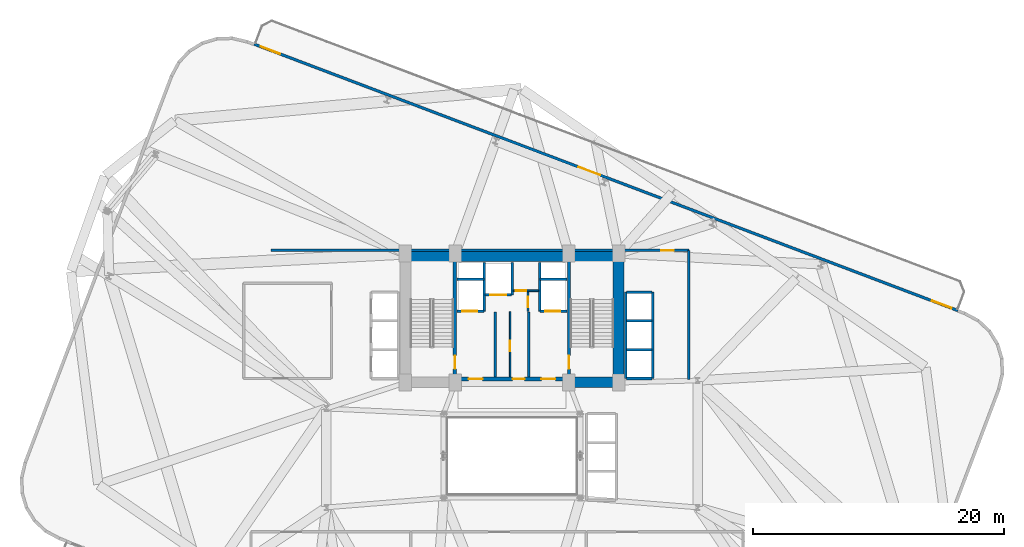
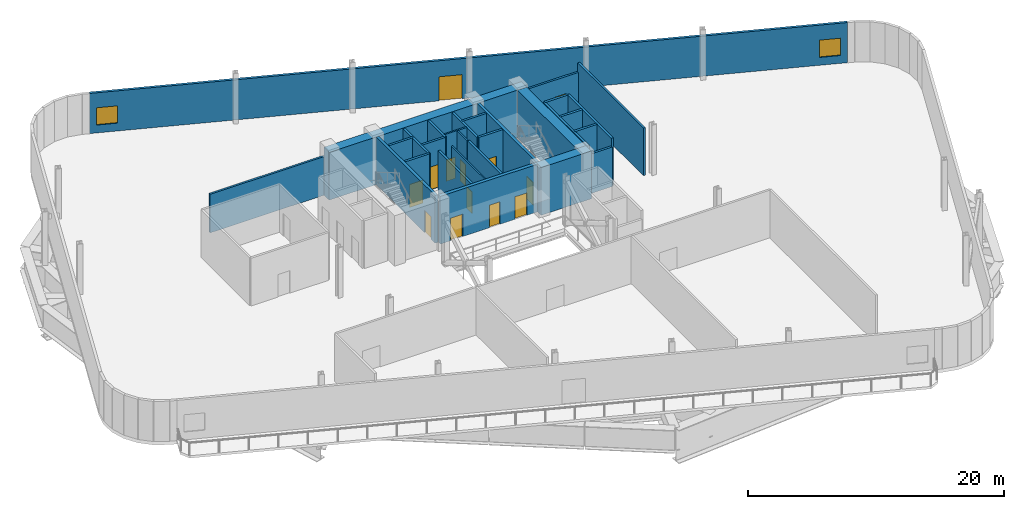
# One storey, part 7 of 11: 28 walls, 13 doors, 2 windows, 15 openings.
"""IFC4 building model written with IfcOpenShell, lengths in metres."""

from ifc_helpers import new_model, si_unit, direction, frame, frame_2d, origin, place, context, subcontext, project, spatial, rectangle, extrude, material, layer, layer_set, type_object, element, fill, save


model = new_model("IFC4")

# Units and contexts
model_context = context("Model", 3, precision=1e-05, world=origin(), true_north=direction((0.0, 1.0)))
body_context = subcontext(model_context, "Body", "Model", "MODEL_VIEW")
ifc_project = project(units=[si_unit("LENGTHUNIT", "METRE"), si_unit("AREAUNIT", "SQUARE_METRE"), si_unit("VOLUMEUNIT", "CUBIC_METRE"), si_unit("PLANEANGLEUNIT", "RADIAN"), si_unit("MASSUNIT", "GRAM", prefix="KILO")], contexts=[model_context])

# Site, building, storey
site_placement = place(None, origin())
site = spatial("IfcSite", under=ifc_project, at=site_placement, CompositionType="ELEMENT")
building_placement = place(site_placement, origin())
building = spatial("IfcBuilding", under=site, at=building_placement, Name="Varnelok Gate Tower", CompositionType="ELEMENT")
storey_placement = place(building_placement, frame((0.0, 0.0, 71.39990234375)))
storey = spatial("IfcBuildingStorey", under=building, at=storey_placement, Name="L17", CompositionType="ELEMENT", Elevation=71.39990234375)

# Wall, openings, door, windows
ifc_material_1 = material(Name="Concrete C45/55", Category="concrete")
ifc_layer_1 = layer(ifc_material_1, 0.219970703125)
ifc_layer_set_1 = layer_set([ifc_layer_1], Name="Concrete C45/55")
wall_type_1 = type_object("IfcWallType", Name="EW-BALC-220", PredefinedType="SOLIDWALL", material=ifc_layer_set_1)
wall_1_placement = place(storey_placement, frame((18.64599609375, 55.7392578125, 0.0), z_axis=(0.0, 0.0, 1.0), x_axis=(0.935222250741, -0.354061211825, 0.0)))
wall_1 = element("IfcWall", 1, at=wall_1_placement, inside=storey, type_object=wall_type_1, Name="L17 North Terrace Envelope Wall 2", PredefinedType="SOLIDWALL", context=body_context, shape_type="SweptSolid", body=[
    extrude(rectangle(XDim=60.0, YDim=0.219970703125, at=frame_2d((30.0, 0.0))), origin(), (0.0, 0.0, 1.0), 3.830078125),
])
opening_1_placement = place(wall_1_placement, frame((27.646728515625, 0.0, 0.0)))
opening_1 = element("IfcOpeningElement", 2, at=opening_1_placement, cuts=wall_1, Name="Opening SGD-1", PredefinedType="OPENING", context=body_context, shape_type="SweptSolid", body=[
    extrude(rectangle(XDim=1.85009765625, YDim=2.300048828125, at=frame_2d((0.925048828125, 1.14990234375))), frame((0.0, 0.119873046875, 0.0), z_axis=(0.0, -1.0, 0.0), x_axis=(1.0, 0.0, 0.0)), (0.0, 0.0, 1.0), 0.239990234375),
])
opening_2_placement = place(wall_1_placement, frame((0.550048828125, 0.0, 0.75)))
opening_2 = element("IfcOpeningElement", 3, at=opening_2_placement, cuts=wall_1, Name="Opening WN3", PredefinedType="OPENING", context=body_context, shape_type="SweptSolid", body=[
    extrude(rectangle(XDim=1.64990234375, YDim=1.64990234375, at=frame_2d((0.824951171875, 0.824951171875))), frame((0.0, 0.119873046875, 0.0), z_axis=(0.0, -1.0, 0.0), x_axis=(1.0, 0.0, 0.0)), (0.0, 0.0, 1.0), 0.239990234375),
])
opening_3_placement = place(wall_1_placement, frame((57.800048828125, 0.0, 0.75)))
opening_3 = element("IfcOpeningElement", 4, at=opening_3_placement, cuts=wall_1, Name="Opening WN3", PredefinedType="OPENING", context=body_context, shape_type="SweptSolid", body=[
    extrude(rectangle(XDim=1.64990234375, YDim=1.64990234375, at=frame_2d((0.824951171875, 0.824951171875))), frame((0.0, 0.119873046875, 0.0), z_axis=(0.0, -1.0, 0.0), x_axis=(1.0, 0.0, 0.0)), (0.0, 0.0, 1.0), 0.239990234375),
])
ifc_material_2 = material(Name="Anodized Aluminum Alloy 6063-T6", Category="aluminium")
door_type_1 = type_object("IfcDoorType", Name="DR-EXT-SKYG1850", OperationType="DOUBLE_DOOR_SINGLE_SWING", PredefinedType="DOOR", material=ifc_material_2)
door_1_placement = place(opening_1_placement, origin())
door_1 = element("IfcDoor", 5, at=door_1_placement, inside=storey, type_object=door_type_1, Name="L17 North Sky Garden Glazed Door 2", OperationType="DOUBLE_DOOR_SINGLE_SWING", OverallHeight=2.300048828125, OverallWidth=1.85009765625, PredefinedType="DOOR", context=body_context, shape_type="SweptSolid", body=[
    extrude(rectangle(XDim=1.85009765625, YDim=2.300048828125, at=frame_2d((0.925048828125, 1.14990234375))), frame((0.0, 0.02490234375, 0.0), z_axis=(0.0, -1.0, 0.0), x_axis=(1.0, 0.0, 0.0)), (0.0, 0.0, 1.0), 0.050048828125),
])
fill(opening_1, door_1)
ifc_material_3 = material(Name="Low-E Laminated Double Glazing IGU", Category="glass")
window_type = type_object("IfcWindowType", Name="WN-HTL-1650", PartitioningType="SINGLE_PANEL", PredefinedType="WINDOW", material=ifc_material_3)
window_1_placement = place(opening_2_placement, origin())
window_1 = element("IfcWindow", 6, at=window_1_placement, inside=storey, type_object=window_type, Name="L17 North Vision Window 2.1", OverallHeight=1.64990234375, OverallWidth=1.64990234375, PartitioningType="SINGLE_PANEL", PredefinedType="WINDOW", context=body_context, shape_type="SweptSolid", body=[
    extrude(rectangle(XDim=1.64990234375, YDim=1.64990234375, at=frame_2d((0.824951171875, 0.824951171875))), frame((0.0, 0.030029296875, 0.0), z_axis=(0.0, -1.0, 0.0), x_axis=(1.0, 0.0, 0.0)), (0.0, 0.0, 1.0), 0.06005859375),
])
fill(opening_2, window_1)
window_2_placement = place(opening_3_placement, origin())
window_2 = element("IfcWindow", 7, at=window_2_placement, inside=storey, type_object=window_type, Name="L17 North Vision Window 2.2", OverallHeight=1.64990234375, OverallWidth=1.64990234375, PartitioningType="SINGLE_PANEL", PredefinedType="WINDOW", context=body_context, shape_type="SweptSolid", body=[
    extrude(rectangle(XDim=1.64990234375, YDim=1.64990234375, at=frame_2d((0.824951171875, 0.824951171875))), frame((0.0, 0.030029296875, 0.0), z_axis=(0.0, -1.0, 0.0), x_axis=(1.0, 0.0, 0.0)), (0.0, 0.0, 1.0), 0.06005859375),
])
fill(opening_3, window_2)

# Wall, opening, door
ifc_material_4 = material(Name="Gypsum Plasterboard Acoustic Partition", Category="gypsum")
ifc_layer_2 = layer(ifc_material_4, 0.179931640625)
ifc_layer_set_2 = layer_set([ifc_layer_2], Name="Gypsum Plasterboard Acoustic Partition")
wall_type_2 = type_object("IfcWallType", Name="PW-CORR-180", PredefinedType="PARTITIONING", material=ifc_layer_set_2)
wall_2_placement = place(storey_placement, frame((20.0, 39.300048828125, 0.0), z_axis=(0.0, 0.0, 1.0), x_axis=(1.0, 0.0, 0.0)))
wall_2 = element("IfcWall", 8, at=wall_2_placement, inside=storey, type_object=wall_type_2, Name="Interior Partition", PredefinedType="PARTITIONING", context=body_context, shape_type="SweptSolid", body=[
    extrude(rectangle(XDim=33.300048828125, YDim=0.179931640625, at=frame_2d((16.64990234375, 0.0))), origin(), (0.0, 0.0, 1.0), 3.68017578125),
])
opening_4_placement = place(wall_2_placement, frame((31.10009765625, 0.0, 0.0)))
opening_4 = element("IfcOpeningElement", 9, at=opening_4_placement, cuts=wall_2, Name="Opening D-I1", PredefinedType="OPENING", context=body_context, shape_type="SweptSolid", body=[
    extrude(rectangle(XDim=1.0, YDim=2.050048828125, at=frame_2d((0.5, 1.02490234375))), frame((0.0, 0.099853515625, 0.0), z_axis=(0.0, -1.0, 0.0), x_axis=(1.0, 0.0, 0.0)), (0.0, 0.0, 1.0), 0.199951171875),
])
ifc_material_5 = material(Name="Engineered Hardwood Timber", Category="wood")
door_type_2 = type_object("IfcDoorType", Name="DR-INT-1000", OperationType="NOTDEFINED", PredefinedType="DOOR", material=ifc_material_5)
door_2_placement = place(opening_4_placement, origin())
door_2 = element("IfcDoor", 10, at=door_2_placement, inside=storey, type_object=door_type_2, Name="L17 Sky Garden Lounge Door", OperationType="SINGLE_SWING_LEFT", OverallHeight=2.050048828125, OverallWidth=1.0, PredefinedType="DOOR", context=body_context, shape_type="SweptSolid", body=[
    extrude(rectangle(XDim=1.0, YDim=2.050048828125, at=frame_2d((0.5, 1.02490234375))), frame((0.0, 0.02490234375, 0.0), z_axis=(0.0, -1.0, 0.0), x_axis=(1.0, 0.0, 0.0)), (0.0, 0.0, 1.0), 0.050048828125),
])
fill(opening_4, door_2)

# Wall
wall_3_placement = place(storey_placement, frame((53.300048828125, 29.02001953125, 0.0), z_axis=(0.0, 0.0, 1.0), x_axis=(0.0, 1.0, 0.0)))
element("IfcWall", 11, at=wall_3_placement, inside=storey, type_object=wall_type_2, Name="Interior Partition", PredefinedType="PARTITIONING", context=body_context, shape_type="SweptSolid", body=[
    extrude(rectangle(XDim=10.280029296875, YDim=0.179931640625, at=frame_2d((5.14013671875, 0.0))), origin(), (0.0, 0.0, 1.0), 4.550048828125),
])

# Wall, opening, door
ifc_layer_3 = layer(ifc_material_4, 0.125)
ifc_layer_set_3 = layer_set([ifc_layer_3], Name="Gypsum Plasterboard Acoustic Partition")
wall_type_3 = type_object("IfcWallType", Name="PW-PART-125", PredefinedType="PARTITIONING", material=ifc_layer_set_3)
wall_4_placement = place(storey_placement, frame((39.050048828125, 29.199951171875, 0.0), z_axis=(0.0, 0.0, 1.0), x_axis=(0.0, 1.0, 0.0)))
wall_4 = element("IfcWall", 12, at=wall_4_placement, inside=storey, type_object=wall_type_3, Name="Interior Partition", PredefinedType="PARTITIONING", context=body_context, shape_type="SweptSolid", body=[
    extrude(rectangle(XDim=5.219970703125, YDim=0.125, at=frame_2d((2.60986328125, 0.0))), origin(), (0.0, 0.0, 1.0), 4.550048828125),
])
opening_5_placement = place(wall_4_placement, frame((2.050048828125, 0.0, 0.0)))
opening_5 = element("IfcOpeningElement", 13, at=opening_5_placement, cuts=wall_4, Name="Opening D-RS", PredefinedType="OPENING", context=body_context, shape_type="SweptSolid", body=[
    extrude(rectangle(XDim=0.85009765625, YDim=2.050048828125, at=frame_2d((0.425048828125, 1.02490234375))), frame((0.0, 0.072509765625, 0.0), z_axis=(0.0, -1.0, 0.0), x_axis=(1.0, 0.0, 0.0)), (0.0, 0.0, 1.0), 0.14501953125),
])
ifc_material_6 = material(Name="Galvanized Steel Grade S350GD", Category="steel")
door_type_3 = type_object("IfcDoorType", Name="DR-RISER-850", OperationType="NOTDEFINED", PredefinedType="DOOR", material=ifc_material_6)
door_3_placement = place(opening_5_placement, origin())
door_3 = element("IfcDoor", 14, at=door_3_placement, inside=storey, type_object=door_type_3, Name="L17 Housekeeping Linen Door", OperationType="SINGLE_SWING_LEFT", OverallHeight=2.050048828125, OverallWidth=0.85009765625, PredefinedType="DOOR", context=body_context, shape_type="SweptSolid", body=[
    extrude(rectangle(XDim=0.85009765625, YDim=2.050048828125, at=frame_2d((0.425048828125, 1.02490234375))), frame((0.0, 0.02490234375, 0.0), z_axis=(0.0, -1.0, 0.0), x_axis=(1.0, 0.0, 0.0)), (0.0, 0.0, 1.0), 0.050048828125),
])
fill(opening_5, door_3)

ifc_layer_4 = layer(ifc_material_4, 0.14990234375)
ifc_layer_set_4 = layer_set([ifc_layer_4], Name="Gypsum Plasterboard Acoustic Partition")
wall_type_4 = type_object("IfcWallType", Name="PW-PART-150", PredefinedType="PARTITIONING", material=ifc_layer_set_4)
wall_5_placement = place(storey_placement, frame((39.300048828125, 36.080078125, 0.0), z_axis=(0.0, 0.0, 1.0), x_axis=(1.0, 0.0, 0.0)))
wall_5 = element("IfcWall", 15, at=wall_5_placement, inside=storey, type_object=wall_type_4, Name="L17 Electrical Closet South Wall", PredefinedType="PARTITIONING", context=body_context, shape_type="SweptSolid", body=[
    extrude(rectangle(XDim=2.02001953125, YDim=0.14990234375, at=frame_2d((1.010009765625, 0.0))), origin(), (0.0, 0.0, 1.0), 4.550048828125),
])
opening_6_placement = place(wall_5_placement, frame((0.179931640625, 0.0, 0.0)))
opening_6 = element("IfcOpeningElement", 16, at=opening_6_placement, cuts=wall_5, Name="Opening D-RS", PredefinedType="OPENING", context=body_context, shape_type="SweptSolid", body=[
    extrude(rectangle(XDim=0.85009765625, YDim=2.050048828125, at=frame_2d((0.425048828125, 1.02490234375))), frame((0.0, 0.0849609375, 0.0), z_axis=(0.0, -1.0, 0.0), x_axis=(1.0, 0.0, 0.0)), (0.0, 0.0, 1.0), 0.169921875),
])
door_4_placement = place(opening_6_placement, origin())
door_4 = element("IfcDoor", 17, at=door_4_placement, inside=storey, type_object=door_type_3, Name="L17 Electrical Closet Door", OperationType="SINGLE_SWING_RIGHT", OverallHeight=2.050048828125, OverallWidth=0.85009765625, PredefinedType="DOOR", context=body_context, shape_type="SweptSolid", body=[
    extrude(rectangle(XDim=0.85009765625, YDim=2.050048828125, at=frame_2d((0.425048828125, 1.02490234375))), frame((0.0, 0.02490234375, 0.0), z_axis=(0.0, -1.0, 0.0), x_axis=(1.0, 0.0, 0.0)), (0.0, 0.0, 1.0), 0.050048828125),
])
fill(opening_6, door_4)

wall_6_placement = place(storey_placement, frame((40.47998046875, 34.43994140625, 0.0), z_axis=(0.0, 0.0, 1.0), x_axis=(0.0, 1.0, 0.0)))
wall_6 = element("IfcWall", 18, at=wall_6_placement, inside=storey, type_object=wall_type_4, Name="L17 Telecoms Closet West Wall", PredefinedType="PARTITIONING", context=body_context, shape_type="SweptSolid", body=[
    extrude(rectangle(XDim=1.52001953125, YDim=0.14990234375, at=frame_2d((0.760009765625, 0.0))), origin(), (0.0, 0.0, 1.0), 4.550048828125),
])
opening_7_placement = place(wall_6_placement, frame((0.320068359375, 0.0, 0.0)))
opening_7 = element("IfcOpeningElement", 19, at=opening_7_placement, cuts=wall_6, Name="Opening D-RS", PredefinedType="OPENING", context=body_context, shape_type="SweptSolid", body=[
    extrude(rectangle(XDim=0.85009765625, YDim=2.050048828125, at=frame_2d((0.425048828125, 1.02490234375))), frame((0.0, 0.0849609375, 0.0), z_axis=(0.0, -1.0, 0.0), x_axis=(1.0, 0.0, 0.0)), (0.0, 0.0, 1.0), 0.169921875),
])
door_5_placement = place(opening_7_placement, origin())
door_5 = element("IfcDoor", 20, at=door_5_placement, inside=storey, type_object=door_type_3, Name="L17 Telecoms Closet Door", OperationType="SINGLE_SWING_LEFT", OverallHeight=2.050048828125, OverallWidth=0.85009765625, PredefinedType="DOOR", context=body_context, shape_type="SweptSolid", body=[
    extrude(rectangle(XDim=0.85009765625, YDim=2.050048828125, at=frame_2d((0.425048828125, 1.02490234375))), frame((0.0, 0.02490234375, 0.0), z_axis=(0.0, -1.0, 0.0), x_axis=(1.0, 0.0, 0.0)), (0.0, 0.0, 1.0), 0.050048828125),
])
fill(opening_7, door_5)

# Walls
ifc_material_7 = material(Name="Concrete C35/45", Category="concrete")
ifc_layer_5 = layer(ifc_material_7, 0.199951171875)
ifc_layer_set_5 = layer_set([ifc_layer_5], Name="Concrete C35/45")
wall_type_5 = type_object("IfcWallType", Name="PW-SHAFT-200", PredefinedType="PARTITIONING", material=ifc_layer_set_5)
for number, where, z_axis, x_axis, name in (
    (21, (37.860107421875, 29.199951171875, 0.0), (0.0, 0.0, 1.0), (0.0, 1.0, 0.0), "L17 West FF Lobby Rated Wall"),
    (22, (40.5400390625, 29.199951171875, 0.0), (0.0, 0.0, 1.0), (0.0, 1.0, 0.0), "L17 East FF Lobby Rated Wall"),
):
    element("IfcWall", number, at=place(storey_placement, frame(where, z_axis=z_axis, x_axis=x_axis)), inside=storey, type_object=wall_type_5, Name=name, PredefinedType="PARTITIONING", context=body_context, shape_type="SweptSolid", body=[
        extrude(rectangle(XDim=5.179931640625, YDim=0.199951171875, at=frame_2d((2.58984375, 0.0))), origin(), (0.0, 0.0, 1.0), 4.550048828125),
    ])

# Wall, opening, door
wall_7_placement = place(storey_placement, frame((34.800048828125, 34.43994140625, 0.0), z_axis=(0.0, 0.0, 1.0), x_axis=(1.0, 0.0, 0.0)))
wall_7 = element("IfcWall", 23, at=wall_7_placement, inside=storey, type_object=wall_type_5, Name="L17 FF1 Shaft Front Wall", PredefinedType="PARTITIONING", context=body_context, shape_type="SweptSolid", body=[
    extrude(rectangle(XDim=2.179931640625, YDim=0.199951171875, at=frame_2d((1.08984375, 0.0))), origin(), (0.0, 0.0, 1.0), 4.550048828125),
])
opening_8_placement = place(wall_7_placement, frame((0.419921875, 0.0, 0.0)))
opening_8 = element("IfcOpeningElement", 24, at=opening_8_placement, cuts=wall_7, Name="Opening LD-FF1", PredefinedType="OPENING", context=body_context, shape_type="SweptSolid", body=[
    extrude(rectangle(XDim=1.199951171875, YDim=2.199951171875, at=frame_2d((0.60009765625, 1.10009765625))), frame((0.0, 0.10986328125, 0.0), z_axis=(0.0, -1.0, 0.0), x_axis=(1.0, 0.0, 0.0)), (0.0, 0.0, 1.0), 0.219970703125),
])
door_type_4 = type_object("IfcDoorType", Name="DR-LIFT-FF1200", OperationType="SLIDING_TO_LEFT", PredefinedType="DOOR", material=ifc_material_6)
door_6_placement = place(opening_8_placement, origin())
door_6 = element("IfcDoor", 25, at=door_6_placement, inside=storey, type_object=door_type_4, Name="L17 Firefighting Lift Landing Door LD-FF1", OperationType="SLIDING_TO_LEFT", OverallHeight=2.199951171875, OverallWidth=1.199951171875, PredefinedType="DOOR", context=body_context, shape_type="SweptSolid", body=[
    extrude(rectangle(XDim=1.199951171875, YDim=2.199951171875, at=frame_2d((0.60009765625, 1.10009765625))), frame((0.0, 0.02490234375, 0.0), z_axis=(0.0, -1.0, 0.0), x_axis=(1.0, 0.0, 0.0)), (0.0, 0.0, 1.0), 0.050048828125),
])
fill(opening_8, door_6)

# Walls
wall_8_placement = place(storey_placement, frame((34.800048828125, 36.97998046875, 0.0), z_axis=(0.0, 0.0, 1.0), x_axis=(1.0, 0.0, 0.0)))
element("IfcWall", 26, at=wall_8_placement, inside=storey, type_object=wall_type_5, Name="L17 FF1 Shaft North Wall", PredefinedType="PARTITIONING", context=body_context, shape_type="SweptSolid", body=[
    extrude(rectangle(XDim=2.179931640625, YDim=0.199951171875, at=frame_2d((1.08984375, 0.0))), origin(), (0.0, 0.0, 1.0), 4.550048828125),
])
wall_9_placement = place(storey_placement, frame((37.0, 34.43994140625, 0.0), z_axis=(0.0, 0.0, 1.0), x_axis=(0.0, 1.0, 0.0)))
element("IfcWall", 27, at=wall_9_placement, inside=storey, type_object=wall_type_5, Name="L17 FF1 Shaft Side Wall", PredefinedType="PARTITIONING", context=body_context, shape_type="SweptSolid", body=[
    extrude(rectangle(XDim=3.900146484375, YDim=0.199951171875, at=frame_2d((1.9501953125, 0.0))), origin(), (0.0, 0.0, 1.0), 4.550048828125),
])

# Wall, opening, door
wall_10_placement = place(storey_placement, frame((41.419921875, 34.43994140625, 0.0), z_axis=(0.0, 0.0, 1.0), x_axis=(1.0, 0.0, 0.0)))
wall_10 = element("IfcWall", 28, at=wall_10_placement, inside=storey, type_object=wall_type_5, Name="L17 FF2 Shaft Front Wall", PredefinedType="PARTITIONING", context=body_context, shape_type="SweptSolid", body=[
    extrude(rectangle(XDim=2.18017578125, YDim=0.199951171875, at=frame_2d((1.090087890625, 0.0))), origin(), (0.0, 0.0, 1.0), 4.550048828125),
])
opening_9_placement = place(wall_10_placement, frame((0.419921875, 0.0, 0.0)))
opening_9 = element("IfcOpeningElement", 29, at=opening_9_placement, cuts=wall_10, Name="Opening LD-FF2", PredefinedType="OPENING", context=body_context, shape_type="SweptSolid", body=[
    extrude(rectangle(XDim=1.199951171875, YDim=2.199951171875, at=frame_2d((0.60009765625, 1.10009765625))), frame((0.0, 0.10986328125, 0.0), z_axis=(0.0, -1.0, 0.0), x_axis=(1.0, 0.0, 0.0)), (0.0, 0.0, 1.0), 0.219970703125),
])
door_7_placement = place(opening_9_placement, origin())
door_7 = element("IfcDoor", 30, at=door_7_placement, inside=storey, type_object=door_type_4, Name="L17 Firefighting Lift Landing Door LD-FF2", OperationType="SLIDING_TO_LEFT", OverallHeight=2.199951171875, OverallWidth=1.199951171875, PredefinedType="DOOR", context=body_context, shape_type="SweptSolid", body=[
    extrude(rectangle(XDim=1.199951171875, YDim=2.199951171875, at=frame_2d((0.60009765625, 1.10009765625))), frame((0.0, 0.02490234375, 0.0), z_axis=(0.0, -1.0, 0.0), x_axis=(1.0, 0.0, 0.0)), (0.0, 0.0, 1.0), 0.050048828125),
])
fill(opening_9, door_7)

# Walls
wall_11_placement = place(storey_placement, frame((41.419921875, 36.97998046875, 0.0), z_axis=(0.0, 0.0, 1.0), x_axis=(1.0, 0.0, 0.0)))
element("IfcWall", 31, at=wall_11_placement, inside=storey, type_object=wall_type_5, Name="L17 FF2 Shaft North Wall", PredefinedType="PARTITIONING", context=body_context, shape_type="SweptSolid", body=[
    extrude(rectangle(XDim=2.18017578125, YDim=0.199951171875, at=frame_2d((1.090087890625, 0.0))), origin(), (0.0, 0.0, 1.0), 4.550048828125),
])
wall_12_placement = place(storey_placement, frame((41.39990234375, 34.43994140625, 0.0), z_axis=(0.0, 0.0, 1.0), x_axis=(0.0, 1.0, 0.0)))
element("IfcWall", 32, at=wall_12_placement, inside=storey, type_object=wall_type_5, Name="L17 FF2 Shaft Side Wall", PredefinedType="PARTITIONING", context=body_context, shape_type="SweptSolid", body=[
    extrude(rectangle(XDim=3.900146484375, YDim=0.199951171875, at=frame_2d((1.9501953125, 0.0))), origin(), (0.0, 0.0, 1.0), 4.550048828125),
])

# Wall, opening, door
wall_13_placement = place(storey_placement, frame((37.06005859375, 35.75, 0.0), z_axis=(0.0, 0.0, 1.0), x_axis=(1.0, 0.0, 0.0)))
wall_13 = element("IfcWall", 33, at=wall_13_placement, inside=storey, type_object=wall_type_5, Name="L17 SV1 Shaft Front Wall", PredefinedType="PARTITIONING", context=body_context, shape_type="SweptSolid", body=[
    extrude(rectangle(XDim=2.119873046875, YDim=0.199951171875, at=frame_2d((1.06005859375, 0.0))), origin(), (0.0, 0.0, 1.0), 4.550048828125),
])
opening_10_placement = place(wall_13_placement, frame((0.39990234375, 0.0, 0.0)))
opening_10 = element("IfcOpeningElement", 34, at=opening_10_placement, cuts=wall_13, Name="Opening LD-SV1", PredefinedType="OPENING", context=body_context, shape_type="SweptSolid", body=[
    extrude(rectangle(XDim=1.300048828125, YDim=2.199951171875, at=frame_2d((0.64990234375, 1.10009765625))), frame((0.0, 0.10986328125, 0.0), z_axis=(0.0, -1.0, 0.0), x_axis=(1.0, 0.0, 0.0)), (0.0, 0.0, 1.0), 0.219970703125),
])
door_type_5 = type_object("IfcDoorType", Name="DR-LIFT-SV1300", OperationType="SLIDING_TO_LEFT", PredefinedType="DOOR", material=ifc_material_6)
door_8_placement = place(opening_10_placement, origin())
door_8 = element("IfcDoor", 35, at=door_8_placement, inside=storey, type_object=door_type_5, Name="L17 Service Lift Landing Door LD-SV1", OperationType="SLIDING_TO_LEFT", OverallHeight=2.199951171875, OverallWidth=1.300048828125, PredefinedType="DOOR", context=body_context, shape_type="SweptSolid", body=[
    extrude(rectangle(XDim=1.300048828125, YDim=2.199951171875, at=frame_2d((0.64990234375, 1.10009765625))), frame((0.0, 0.02490234375, 0.0), z_axis=(0.0, -1.0, 0.0), x_axis=(1.0, 0.0, 0.0)), (0.0, 0.0, 1.0), 0.050048828125),
])
fill(opening_10, door_8)

# Walls
wall_14_placement = place(storey_placement, frame((39.219970703125, 35.75, 0.0), z_axis=(0.0, 0.0, 1.0), x_axis=(0.0, 1.0, 0.0)))
element("IfcWall", 36, at=wall_14_placement, inside=storey, type_object=wall_type_5, Name="L17 SV1 Shaft East Wall", PredefinedType="PARTITIONING", context=body_context, shape_type="SweptSolid", body=[
    extrude(rectangle(XDim=2.590087890625, YDim=0.199951171875, at=frame_2d((1.294921875, 0.0))), origin(), (0.0, 0.0, 1.0), 4.550048828125),
])
for number, where, z_axis, x_axis, name in (
    (37, (48.320068359375, 31.375, 0.0), (0.0, 0.0, 1.0), (1.0, 0.0, 0.0), "L17 PM1 Divider"),
    (38, (48.320068359375, 33.675048828125, 0.0), (0.0, 0.0, 1.0), (1.0, 0.0, 0.0), "L17 PM2 Divider"),
):
    element("IfcWall", number, at=place(storey_placement, frame(where, z_axis=z_axis, x_axis=x_axis)), inside=storey, type_object=wall_type_5, Name=name, PredefinedType="PARTITIONING", context=body_context, shape_type="SweptSolid", body=[
        extrude(rectangle(XDim=2.059814453125, YDim=0.199951171875, at=frame_2d((1.02978515625, 0.0))), origin(), (0.0, 0.0, 1.0), 4.550048828125),
    ])
wall_15_placement = place(storey_placement, frame((48.320068359375, 29.080078125, 0.0), z_axis=(0.0, 0.0, 1.0), x_axis=(1.0, 0.0, 0.0)))
element("IfcWall", 39, at=wall_15_placement, inside=storey, type_object=wall_type_5, Name="L17 PM Bank South Wall", PredefinedType="PARTITIONING", context=body_context, shape_type="SweptSolid", body=[
    extrude(rectangle(XDim=2.059814453125, YDim=0.199951171875, at=frame_2d((1.02978515625, 0.0))), origin(), (0.0, 0.0, 1.0), 3.76220703125),
])
wall_16_placement = place(storey_placement, frame((48.320068359375, 35.969970703125, 0.0), z_axis=(0.0, 0.0, 1.0), x_axis=(1.0, 0.0, 0.0)))
element("IfcWall", 40, at=wall_16_placement, inside=storey, type_object=wall_type_5, Name="L17 PM Bank North Wall", PredefinedType="PARTITIONING", context=body_context, shape_type="SweptSolid", body=[
    extrude(rectangle(XDim=2.059814453125, YDim=0.199951171875, at=frame_2d((1.02978515625, 0.0))), origin(), (0.0, 0.0, 1.0), 4.550048828125),
])
for number, where, z_axis, x_axis, name in (
    (41, (48.280029296875, 29.080078125, 0.0), (0.0, 0.0, 1.0), (0.0, 1.0, 0.0), "L17 PM Bank Back Wall"),
    (42, (50.43994140625, 29.080078125, 0.0), (0.0, 0.0, 1.0), (0.0, 1.0, 0.0), "L17 PM Bank Front Wall"),
):
    element("IfcWall", number, at=place(storey_placement, frame(where, z_axis=z_axis, x_axis=x_axis)), inside=storey, type_object=wall_type_5, Name=name, PredefinedType="PARTITIONING", context=body_context, shape_type="SweptSolid", body=[
        extrude(rectangle(XDim=6.889892578125, YDim=0.199951171875, at=frame_2d((3.44482421875, 0.0))), origin(), (0.0, 0.0, 1.0), 4.550048828125),
    ])
ifc_material_8 = material(Name="Concrete C70/85", Category="concrete")
ifc_layer_6 = layer(ifc_material_8, 0.85009765625)
ifc_layer_set_6 = layer_set([ifc_layer_6], Name="Concrete C70/85")
wall_type_6 = type_object("IfcWallType", Name="SW-CORE-850", PredefinedType="SHEAR", material=ifc_layer_set_6)
wall_17_placement = place(storey_placement, frame((30.280029296875, 38.844970703125, 0.0), z_axis=(0.0, 0.0, 1.0), x_axis=(1.0, 0.0, 0.0)))
element("IfcWall", 43, at=wall_17_placement, inside=storey, type_object=wall_type_6, Name="L17 Rear Core North Shear Wall", PredefinedType="SHEAR", context=body_context, shape_type="SweptSolid", body=[
    extrude(rectangle(XDim=17.840087890625, YDim=0.85009765625, at=frame_2d((8.919921875, 0.0))), origin(), (0.0, 0.0, 1.0), 4.550048828125),
])
wall_18_placement = place(storey_placement, frame((47.695068359375, 29.199951171875, 0.0), z_axis=(0.0, 0.0, 1.0), x_axis=(0.0, 1.0, 0.0)))
element("IfcWall", 44, at=wall_18_placement, inside=storey, type_object=wall_type_6, Name="L17 Rear Core East Shear Wall", PredefinedType="SHEAR", context=body_context, shape_type="SweptSolid", body=[
    extrude(rectangle(XDim=9.219970703125, YDim=0.85009765625, at=frame_2d((4.60986328125, 0.0))), origin(), (0.0, 0.0, 1.0), 4.550048828125),
])
wall_19_placement = place(storey_placement, frame((43.60009765625, 28.77490234375, 0.0), z_axis=(0.0, 0.0, 1.0), x_axis=(1.0, 0.0, 0.0)))
element("IfcWall", 45, at=wall_19_placement, inside=storey, type_object=wall_type_6, Name="L17 Rear Core South-East Shear Wall", PredefinedType="SHEAR", context=body_context, shape_type="SweptSolid", body=[
    extrude(rectangle(XDim=4.52001953125, YDim=0.85009765625, at=frame_2d((2.260009765625, 0.0))), origin(), (0.0, 0.0, 1.0), 4.550048828125),
])

# Wall, opening, door
ifc_material_9 = material(Name="Concrete C60/75", Category="concrete")
ifc_layer_7 = layer(ifc_material_9, 0.25)
ifc_layer_set_7 = layer_set([ifc_layer_7], Name="Concrete C60/75")
wall_type_7 = type_object("IfcWallType", Name="SW-SHAFT-250", PredefinedType="SHEAR", material=ifc_layer_set_7)
wall_20_placement = place(storey_placement, frame((34.639892578125, 29.199951171875, 0.0), z_axis=(0.0, 0.0, 1.0), x_axis=(0.0, 1.0, 0.0)))
wall_20 = element("IfcWall", 46, at=wall_20_placement, inside=storey, type_object=wall_type_7, Name="L17 Stair ST-1 East Shear Wall", PredefinedType="SHEAR", context=body_context, shape_type="SweptSolid", body=[
    extrude(rectangle(XDim=9.219970703125, YDim=0.25, at=frame_2d((4.60986328125, 0.0))), origin(), (0.0, 0.0, 1.0), 4.550048828125),
])
opening_11_placement = place(wall_20_placement, frame((0.64990234375, 0.0, 0.0)))
opening_11 = element("IfcOpeningElement", 47, at=opening_11_placement, cuts=wall_20, Name="Opening D-ST", PredefinedType="OPENING", context=body_context, shape_type="SweptSolid", body=[
    extrude(rectangle(XDim=1.050048828125, YDim=2.14990234375, at=frame_2d((0.52490234375, 1.074951171875))), frame((0.0, 0.135009765625, 0.0), z_axis=(0.0, -1.0, 0.0), x_axis=(1.0, 0.0, 0.0)), (0.0, 0.0, 1.0), 0.27001953125),
])
door_type_6 = type_object("IfcDoorType", Name="DR-STAIR-1050", OperationType="NOTDEFINED", PredefinedType="DOOR", material=ifc_material_6)
door_9_placement = place(opening_11_placement, origin())
door_9 = element("IfcDoor", 48, at=door_9_placement, inside=storey, type_object=door_type_6, Name="L17 Exit Stair ST-1 Fire Door", OperationType="SINGLE_SWING_LEFT", OverallHeight=2.14990234375, OverallWidth=1.050048828125, PredefinedType="DOOR", context=body_context, shape_type="SweptSolid", body=[
    extrude(rectangle(XDim=1.050048828125, YDim=2.14990234375, at=frame_2d((0.52490234375, 1.074951171875))), frame((0.0, 0.02490234375, 0.0), z_axis=(0.0, -1.0, 0.0), x_axis=(1.0, 0.0, 0.0)), (0.0, 0.0, 1.0), 0.050048828125),
])
fill(opening_11, door_9)

wall_21_placement = place(storey_placement, frame((43.760009765625, 29.199951171875, 0.0), z_axis=(0.0, 0.0, 1.0), x_axis=(0.0, 1.0, 0.0)))
wall_21 = element("IfcWall", 49, at=wall_21_placement, inside=storey, type_object=wall_type_7, Name="L17 Stair ST-2 West Shear Wall", PredefinedType="SHEAR", context=body_context, shape_type="SweptSolid", body=[
    extrude(rectangle(XDim=9.219970703125, YDim=0.25, at=frame_2d((4.60986328125, 0.0))), origin(), (0.0, 0.0, 1.0), 4.550048828125),
])
opening_12_placement = place(wall_21_placement, frame((0.64990234375, 0.0, 0.0)))
opening_12 = element("IfcOpeningElement", 50, at=opening_12_placement, cuts=wall_21, Name="Opening D-ST", PredefinedType="OPENING", context=body_context, shape_type="SweptSolid", body=[
    extrude(rectangle(XDim=1.050048828125, YDim=2.14990234375, at=frame_2d((0.52490234375, 1.074951171875))), frame((0.0, 0.135009765625, 0.0), z_axis=(0.0, -1.0, 0.0), x_axis=(1.0, 0.0, 0.0)), (0.0, 0.0, 1.0), 0.27001953125),
])
door_10_placement = place(opening_12_placement, origin())
door_10 = element("IfcDoor", 51, at=door_10_placement, inside=storey, type_object=door_type_6, Name="L17 Exit Stair ST-2 Fire Door", OperationType="SINGLE_SWING_RIGHT", OverallHeight=2.14990234375, OverallWidth=1.050048828125, PredefinedType="DOOR", context=body_context, shape_type="SweptSolid", body=[
    extrude(rectangle(XDim=1.050048828125, YDim=2.14990234375, at=frame_2d((0.52490234375, 1.074951171875))), frame((0.0, 0.02490234375, 0.0), z_axis=(0.0, -1.0, 0.0), x_axis=(1.0, 0.0, 0.0)), (0.0, 0.0, 1.0), 0.050048828125),
])
fill(opening_12, door_10)

# Wall, openings, doors
ifc_layer_8 = layer(ifc_material_9, 0.300048828125)
ifc_layer_set_8 = layer_set([ifc_layer_8], Name="Concrete C60/75")
wall_type_8 = type_object("IfcWallType", Name="SW-SHAFT-300", PredefinedType="SHEAR", material=ifc_layer_set_8)
wall_22_placement = place(storey_placement, frame((34.800048828125, 29.050048828125, 0.0), z_axis=(0.0, 0.0, 1.0), x_axis=(1.0, 0.0, 0.0)))
wall_22 = element("IfcWall", 52, at=wall_22_placement, inside=storey, type_object=wall_type_8, Name="L17 Rear Core Central Lobby Shear Wall", PredefinedType="SHEAR", context=body_context, shape_type="SweptSolid", body=[
    extrude(rectangle(XDim=8.800048828125, YDim=0.300048828125, at=frame_2d((4.39990234375, 0.0))), origin(), (0.0, 0.0, 1.0), 4.550048828125),
])
opening_13_placement = place(wall_22_placement, frame((0.949951171875, 0.0, 0.0)))
opening_13 = element("IfcOpeningElement", 53, at=opening_13_placement, cuts=wall_22, Name="Opening D-FF", PredefinedType="OPENING", context=body_context, shape_type="SweptSolid", body=[
    extrude(rectangle(XDim=1.10009765625, YDim=2.14990234375, at=frame_2d((0.550048828125, 1.074951171875))), frame((0.0, 0.159912109375, 0.0), z_axis=(0.0, -1.0, 0.0), x_axis=(1.0, 0.0, 0.0)), (0.0, 0.0, 1.0), 0.320068359375),
])
opening_14_placement = place(wall_22_placement, frame((6.75, 0.0, 0.0)))
opening_14 = element("IfcOpeningElement", 54, at=opening_14_placement, cuts=wall_22, Name="Opening D-FF", PredefinedType="OPENING", context=body_context, shape_type="SweptSolid", body=[
    extrude(rectangle(XDim=1.10009765625, YDim=2.14990234375, at=frame_2d((0.550048828125, 1.074951171875))), frame((0.0, 0.159912109375, 0.0), z_axis=(0.0, -1.0, 0.0), x_axis=(1.0, 0.0, 0.0)), (0.0, 0.0, 1.0), 0.320068359375),
])
opening_15_placement = place(wall_22_placement, frame((4.449951171875, 0.0, 0.0)))
opening_15 = element("IfcOpeningElement", 55, at=opening_15_placement, cuts=wall_22, Name="Opening D-CR", PredefinedType="OPENING", context=body_context, shape_type="SweptSolid", body=[
    extrude(rectangle(XDim=0.949951171875, YDim=2.14990234375, at=frame_2d((0.47509765625, 1.074951171875))), frame((0.0, 0.159912109375, 0.0), z_axis=(0.0, -1.0, 0.0), x_axis=(1.0, 0.0, 0.0)), (0.0, 0.0, 1.0), 0.320068359375),
])
door_type_7 = type_object("IfcDoorType", Name="DR-CORR-950", OperationType="NOTDEFINED", PredefinedType="DOOR", material=ifc_material_6)
door_11_placement = place(opening_15_placement, origin())
door_11 = element("IfcDoor", 56, at=door_11_placement, inside=storey, type_object=door_type_7, Name="L17 Core Service Passage Door", OperationType="SINGLE_SWING_LEFT", OverallHeight=2.14990234375, OverallWidth=0.949951171875, PredefinedType="DOOR", context=body_context, shape_type="SweptSolid", body=[
    extrude(rectangle(XDim=0.949951171875, YDim=2.14990234375, at=frame_2d((0.47509765625, 1.074951171875))), frame((0.0, 0.02490234375, 0.0), z_axis=(0.0, -1.0, 0.0), x_axis=(1.0, 0.0, 0.0)), (0.0, 0.0, 1.0), 0.050048828125),
])
fill(opening_15, door_11)
door_type_8 = type_object("IfcDoorType", Name="DR-FFLOB-1100", OperationType="NOTDEFINED", PredefinedType="DOOR", material=ifc_material_6)
door_12_placement = place(opening_13_placement, origin())
door_12 = element("IfcDoor", 57, at=door_12_placement, inside=storey, type_object=door_type_8, Name="L17 West Firefighting Lobby Fire Door", OperationType="SINGLE_SWING_RIGHT", OverallHeight=2.14990234375, OverallWidth=1.10009765625, PredefinedType="DOOR", context=body_context, shape_type="SweptSolid", body=[
    extrude(rectangle(XDim=1.10009765625, YDim=2.14990234375, at=frame_2d((0.550048828125, 1.074951171875))), frame((0.0, 0.02490234375, 0.0), z_axis=(0.0, -1.0, 0.0), x_axis=(1.0, 0.0, 0.0)), (0.0, 0.0, 1.0), 0.050048828125),
])
fill(opening_13, door_12)
door_13_placement = place(opening_14_placement, origin())
door_13 = element("IfcDoor", 58, at=door_13_placement, inside=storey, type_object=door_type_8, Name="L17 East Firefighting Lobby Fire Door", OperationType="SINGLE_SWING_LEFT", OverallHeight=2.14990234375, OverallWidth=1.10009765625, PredefinedType="DOOR", context=body_context, shape_type="SweptSolid", body=[
    extrude(rectangle(XDim=1.10009765625, YDim=2.14990234375, at=frame_2d((0.550048828125, 1.074951171875))), frame((0.0, 0.02490234375, 0.0), z_axis=(0.0, -1.0, 0.0), x_axis=(1.0, 0.0, 0.0)), (0.0, 0.0, 1.0), 0.050048828125),
])
fill(opening_14, door_13)

save(model, "model.ifc")
